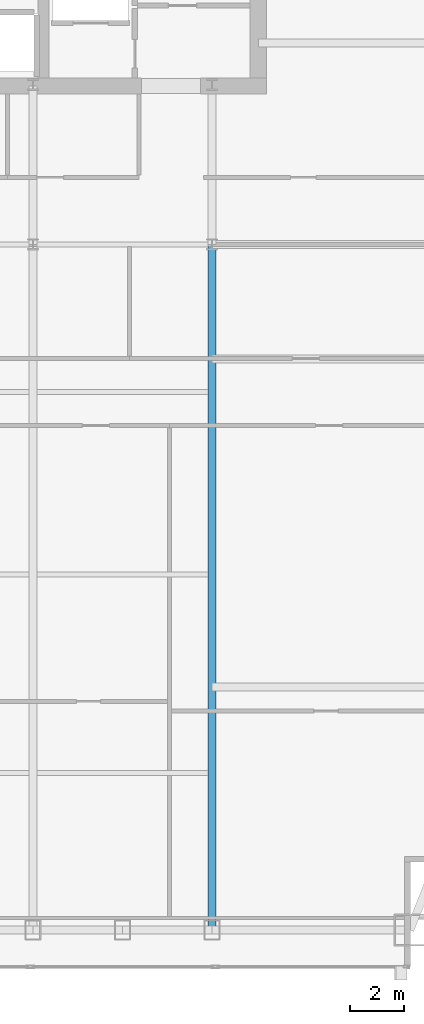
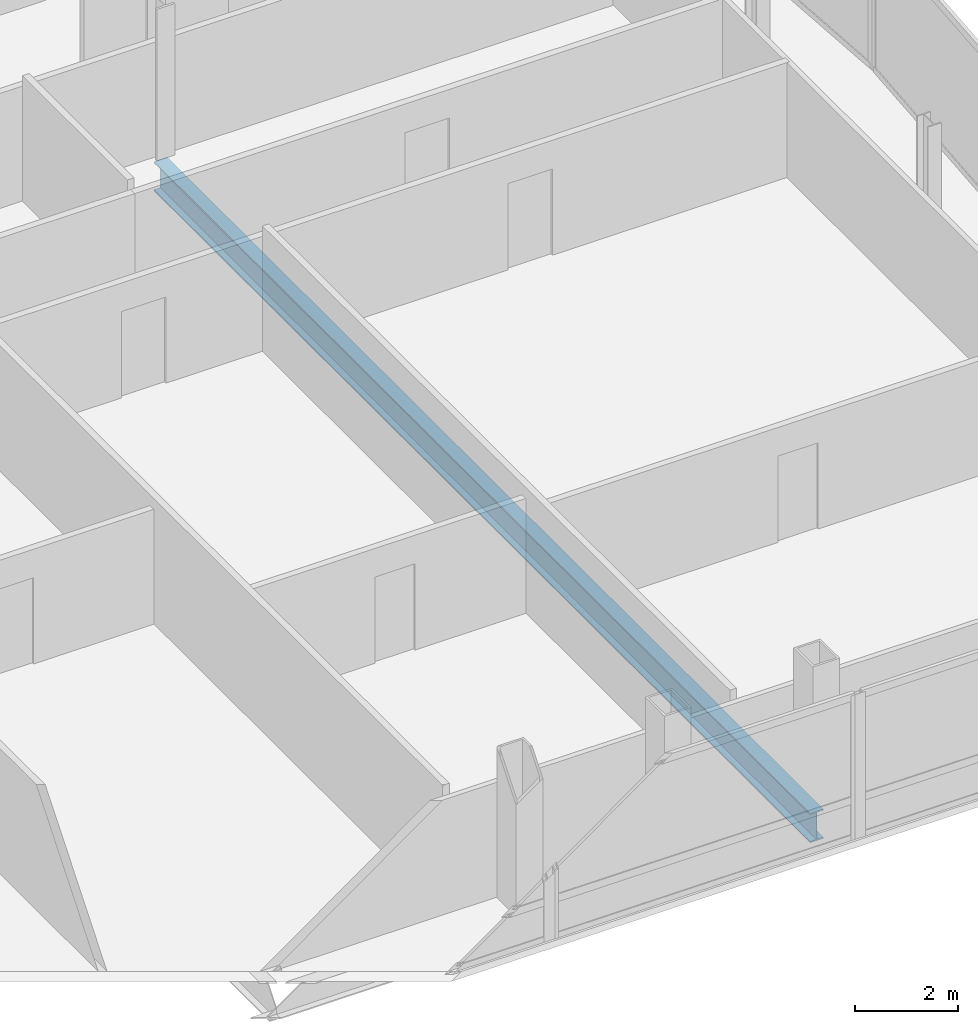
# One storey, part 15 of 30: 1 beam.
"""IFC4 building model written with IfcOpenShell, lengths in metres."""

from ifc_helpers import new_model, si_unit, direction, frame, origin, origin_2d, place, context, subcontext, project, spatial, i_section, extrude, material, material_profile, profile_set, type_object, element, save


model = new_model("IFC4")

# Units and contexts
model_context = context("Model", 3, precision=1e-05, world=origin(), true_north=direction((0.0, 1.0)))
body_context = subcontext(model_context, "Body", "Model", "MODEL_VIEW")
ifc_project = project(units=[si_unit("LENGTHUNIT", "METRE"), si_unit("AREAUNIT", "SQUARE_METRE"), si_unit("VOLUMEUNIT", "CUBIC_METRE"), si_unit("PLANEANGLEUNIT", "RADIAN"), si_unit("MASSUNIT", "GRAM", prefix="KILO")], contexts=[model_context])

# Site, building, storey
site_placement = place(None, origin())
site = spatial("IfcSite", under=ifc_project, at=site_placement, CompositionType="ELEMENT")
building_placement = place(site_placement, origin())
building = spatial("IfcBuilding", under=site, at=building_placement, Name="Khoronbel Lancet Exchange", CompositionType="ELEMENT")
storey_placement = place(building_placement, frame((0.0, 0.0, 213.800048828125)))
storey = spatial("IfcBuildingStorey", under=building, at=storey_placement, Name="L54", CompositionType="ELEMENT", Elevation=213.800048828125)

# Beam
ifc_material = material(Name="Steel S355", Category="steel")
ifc_material_profile = material_profile(ifc_material, i_section(OverallWidth=0.300048828125, OverallDepth=0.699951171875, WebThickness=0.01708984375, FlangeThickness=0.031982421875, at=origin_2d()), Name="HEB 700")
ifc_profile_set = profile_set([ifc_material_profile], Name="Steel S355")
beam_type = type_object("IfcBeamType", Name="BM-BG3", PredefinedType="BEAM", material=ifc_profile_set)
beam_placement = place(storey_placement, frame((54.675048828125, 10.14990234375, -0.510009765625), z_axis=(0.0, 1.0, 0.0), x_axis=(-1.0, 0.0, 0.0)))
element("IfcBeam", 1, at=beam_placement, inside=storey, type_object=beam_type, Name="Level L54 south primary girder GS6", PredefinedType="BEAM", context=body_context, shape_type="SweptSolid", body=[
    extrude(i_section(OverallWidth=0.300048828125, OverallDepth=0.699951171875, WebThickness=0.01708984375, FlangeThickness=0.031982421875, at=origin_2d()), origin(), (0.0, 0.0, 1.0), 25.550048828125),
])

save(model, "model.ifc")
